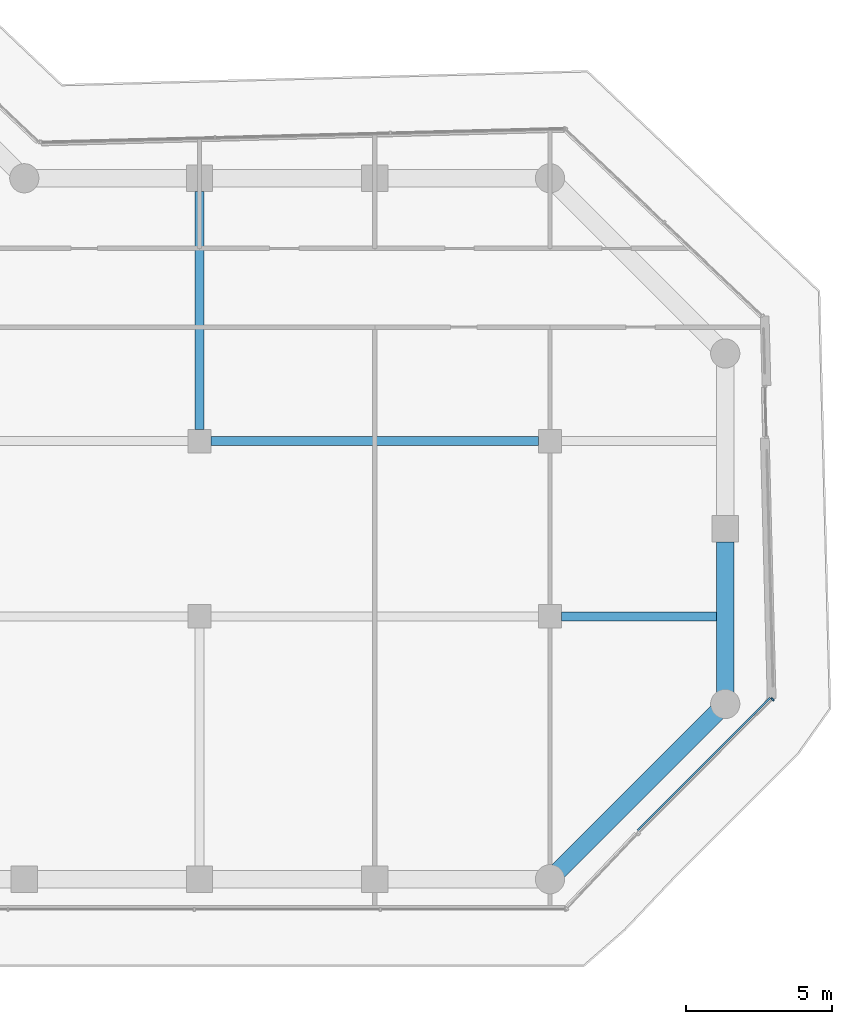
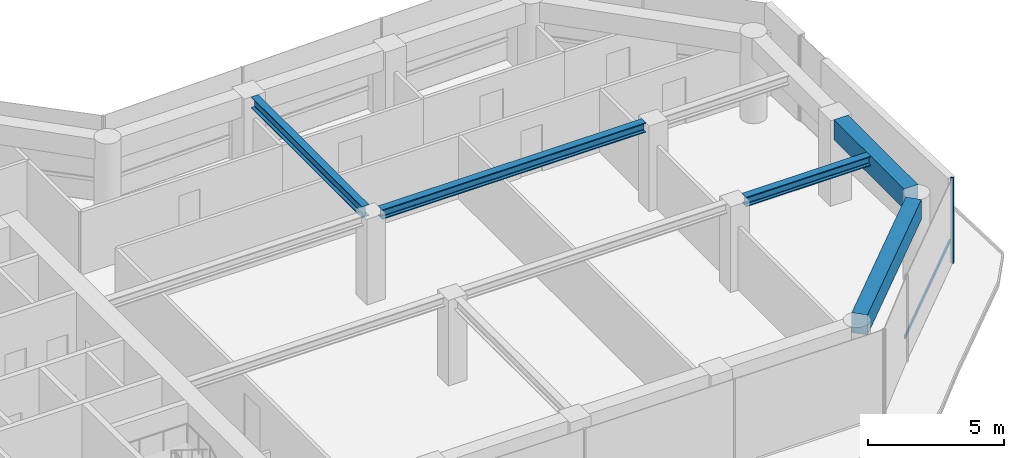
# One storey, part 7 of 23: 5 beams, 2 members, 1 element without a shape of its own.
"""IFC4 building model written with IfcOpenShell, lengths in metres."""

from ifc_helpers import new_model, si_unit, direction, frame, origin, origin_2d, place, context, subcontext, project, spatial, rectangle, i_section, extrude, material, layer, layer_set, material_profile, profile_set, type_object, element, aggregate, save


model = new_model("IFC4")

# Units and contexts
model_context = context("Model", 3, precision=1e-05, world=origin(), true_north=direction((0.0, 1.0)))
body_context = subcontext(model_context, "Body", "Model", "MODEL_VIEW")
ifc_project = project(units=[si_unit("LENGTHUNIT", "METRE"), si_unit("AREAUNIT", "SQUARE_METRE"), si_unit("VOLUMEUNIT", "CUBIC_METRE"), si_unit("PLANEANGLEUNIT", "RADIAN"), si_unit("MASSUNIT", "GRAM", prefix="KILO")], contexts=[model_context])

# Site, building, storey
site_placement = place(None, origin())
site = spatial("IfcSite", under=ifc_project, at=site_placement, CompositionType="ELEMENT")
building_placement = place(site_placement, origin())
building = spatial("IfcBuilding", under=site, at=building_placement, Name="Welwitschia Terrace Campus", CompositionType="ELEMENT")
storey_placement = place(building_placement, frame((0.0, 0.0, 104.60009765625)))
storey = spatial("IfcBuildingStorey", under=building, at=storey_placement, Name="L23", CompositionType="ELEMENT", Elevation=104.60009765625)

# Beams
ifc_material_1 = material(Name="Steel S355", Category="steel")
ifc_material_profile_1 = material_profile(ifc_material_1, i_section(OverallWidth=0.306884765625, OverallDepth=0.431884765625, WebThickness=0.02099609375, FlangeThickness=0.0400390625, FilletRadius=0.027099609375, at=origin_2d()))
ifc_profile_set_1 = profile_set([ifc_material_profile_1], Name="Steel S355")
beam_type_1 = type_object("IfcBeamType", Name="Interior girder HE 400 M", PredefinedType="BEAM", material=ifc_profile_set_1)
beam_1_placement = place(storey_placement, frame((48.400390625, 13.0, 3.6337890625), z_axis=(1.0, 0.0, 0.0), x_axis=(0.0, 1.0, 0.0)))
element("IfcBeam", 1, at=beam_1_placement, inside=storey, type_object=beam_type_1, Name="Girder GB3", PredefinedType="BEAM", context=body_context, shape_type="SweptSolid", body=[
    extrude(i_section(OverallWidth=0.306884765625, OverallDepth=0.431884765625, WebThickness=0.02099609375, FlangeThickness=0.0400390625, FilletRadius=0.027099609375, at=origin_2d()), origin(), (0.0, 0.0, 1.0), 5.609619140625),
])
beam_2_placement = place(storey_placement, frame((36.400390625, 19.0, 3.6337890625), z_axis=(1.0, 0.0, 0.0), x_axis=(0.0, 1.0, 0.0)))
element("IfcBeam", 2, at=beam_2_placement, inside=storey, type_object=beam_type_1, Name="Girder GB3", PredefinedType="BEAM", context=body_context, shape_type="SweptSolid", body=[
    extrude(i_section(OverallWidth=0.306884765625, OverallDepth=0.431884765625, WebThickness=0.02099609375, FlangeThickness=0.0400390625, FilletRadius=0.027099609375, at=origin_2d()), origin(), (0.0, 0.0, 1.0), 11.19921875),
])

# Curtain wall, member
ifc_material_2 = material(Name="Bronze anodised aluminium", Category="aluminium")
ifc_layer = layer(ifc_material_2, 0.1201171875)
ifc_layer_set = layer_set([ifc_layer], Name="Bronze anodised aluminium")
curtain_wall_type = type_object("IfcCurtainWallType", Name="Curtain wall CW2 tower 6000", PredefinedType="NOTDEFINED", material=ifc_layer_set)
curtain_wall_placement = place(storey_placement, origin())
curtain_wall = element("IfcCurtainWall", 3, at=curtain_wall_placement, inside=storey, type_object=curtain_wall_type, Name="CW L23.4.0", PredefinedType="NOTDEFINED")
ifc_material_3 = material(Name="Bronze anodised aluminium", Category="aluminium")
ifc_material_profile_2 = material_profile(ifc_material_3, rectangle(XDim=0.1201171875, YDim=0.06005859375, at=origin_2d()))
ifc_profile_set_2 = profile_set([ifc_material_profile_2], Name="Bronze anodised aluminium")
member_type_1 = type_object("IfcMemberType", Name="Mullion 60x120", PredefinedType="MULLION", material=ifc_profile_set_2)
member_1_placement = place(storey_placement, frame((55.6220703125, 10.165283203125, 0.0), z_axis=(0.0, 0.0, 1.0), x_axis=(-0.707106781187, 0.707106781187, 0.0)))
member_1 = element("IfcMember", 4, at=member_1_placement, type_object=member_type_1, Name="Mullion L23.4.0.1", PredefinedType="MULLION", context=body_context, shape_type="SweptSolid", body=[
    extrude(rectangle(XDim=0.1201171875, YDim=0.06005859375, at=origin_2d()), origin(), (0.0, 0.0, 1.0), 3.849853515625),
])

# Beams
ifc_material_4 = material(Name="Steel S355", Category="steel")
ifc_material_profile_3 = material_profile(ifc_material_4, i_section(OverallWidth=0.300048828125, OverallDepth=0.5, WebThickness=0.014404296875, FlangeThickness=0.028076171875, FilletRadius=0.027099609375, at=origin_2d()))
ifc_profile_set_3 = profile_set([ifc_material_profile_3], Name="Steel S355")
beam_type_2 = type_object("IfcBeamType", Name="Primary beam HE 500 B", PredefinedType="BEAM", material=ifc_profile_set_3)
beam_3_placement = place(storey_placement, frame((36.0, 27.549560546875, 3.599853515625), z_axis=(0.0, -1.0, 0.0), x_axis=(1.0, 0.0, 0.0)))
element("IfcBeam", 5, at=beam_3_placement, inside=storey, type_object=beam_type_2, Name="Primary beam PB3", PredefinedType="BEAM", context=body_context, shape_type="SweptSolid", body=[
    extrude(i_section(OverallWidth=0.300048828125, OverallDepth=0.5, WebThickness=0.014404296875, FlangeThickness=0.028076171875, FilletRadius=0.027099609375, at=origin_2d()), origin(), (0.0, 0.0, 1.0), 8.149169921875),
])
ifc_material_5 = material(Name="Concrete C60/75", Category="concrete")
ifc_material_profile_4 = material_profile(ifc_material_5, rectangle(XDim=0.60009765625, YDim=0.89990234375, at=origin_2d()))
ifc_profile_set_4 = profile_set([ifc_material_profile_4], Name="Concrete C60/75")
beam_type_3 = type_object("IfcBeamType", Name="Ring spandrel 600x900", PredefinedType="SPANDREL", material=ifc_profile_set_4)
beam_4_placement = place(storey_placement, frame((48.283203125, 4.283203125, 3.39990234375), z_axis=(0.707106781187, 0.707106781187, 0.0), x_axis=(-0.707106781187, 0.707106781187, 0.0)))
element("IfcBeam", 6, at=beam_4_placement, inside=storey, type_object=beam_type_3, Name="Spandrel SP2", PredefinedType="SPANDREL", context=body_context, shape_type="SweptSolid", body=[
    extrude(rectangle(XDim=0.60009765625, YDim=0.89990234375, at=origin_2d()), origin(), (0.0, 0.0, 1.0), 7.684326171875),
])
beam_5_placement = place(storey_placement, frame((54.0, 10.400390625, 3.39990234375), z_axis=(0.0, 1.0, 0.0), x_axis=(-1.0, 0.0, 0.0)))
element("IfcBeam", 7, at=beam_5_placement, inside=storey, type_object=beam_type_3, Name="Spandrel SP2", PredefinedType="SPANDREL", context=body_context, shape_type="SweptSolid", body=[
    extrude(rectangle(XDim=0.60009765625, YDim=0.89990234375, at=origin_2d()), origin(), (0.0, 0.0, 1.0), 5.149169921875),
])

# Member
ifc_material_6 = material(Name="Bronze anodised aluminium", Category="aluminium")
ifc_material_profile_5 = material_profile(ifc_material_6, rectangle(XDim=0.06005859375, YDim=0.14990234375, at=origin_2d()))
ifc_profile_set_5 = profile_set([ifc_material_profile_5], Name="Bronze anodised aluminium")
member_type_2 = type_object("IfcMemberType", Name="Transom 60x150", PredefinedType="USERDEFINED", material=ifc_profile_set_5)
member_2_placement = place(storey_placement, frame((51.0029296875, 5.673583984375, 1.0), z_axis=(0.707106781187, 0.707106781187, 0.0), x_axis=(-0.707106781187, 0.707106781187, 0.0)))
member_2 = element("IfcMember", 8, at=member_2_placement, type_object=member_type_2, Name="Transom L23.4.0", ObjectType="TRANSOM", PredefinedType="USERDEFINED", context=body_context, shape_type="SweptSolid", body=[
    extrude(rectangle(XDim=0.06005859375, YDim=0.14990234375, at=origin_2d()), origin(), (0.0, 0.0, 1.0), 6.412353515625),
])

aggregate(curtain_wall, [member_1, member_2])

save(model, "model.ifc")
